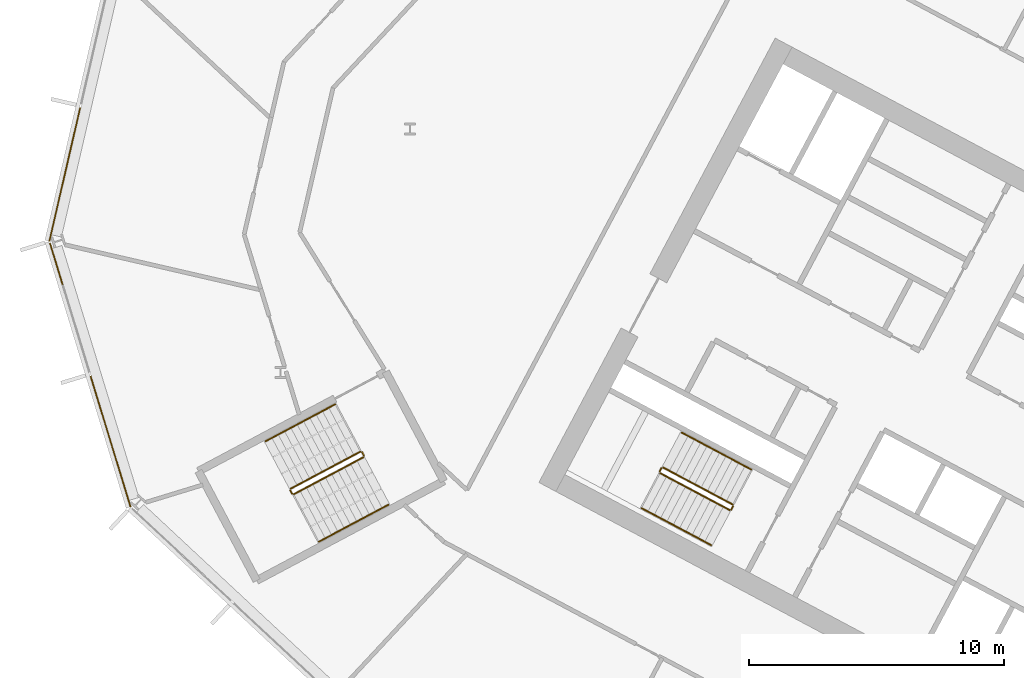
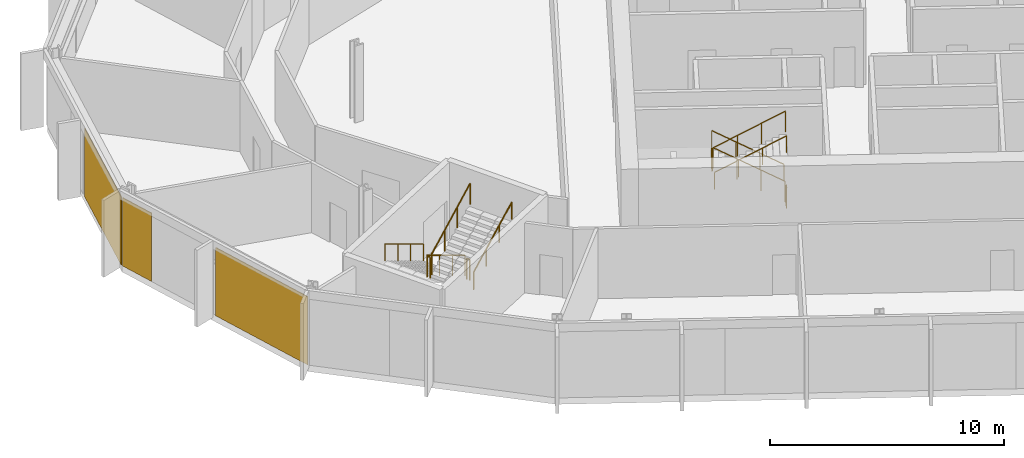
# One storey, part 21 of 28: 12 railings, 3 coverings, 2 elements without a shape of their own.
"""IFC4 building model written with IfcOpenShell, lengths in metres."""

from ifc_helpers import new_model, si_unit, direction, frame, origin, origin_2d, place, context, subcontext, project, spatial, polyline, rectangle, outline, extrude, material, layer, layer_set, type_object, element, aggregate, save


model = new_model("IFC4")

# Units and contexts
model_context = context("Model", 3, precision=1e-05, world=origin(), true_north=direction((0.0, 1.0)))
body_context = subcontext(model_context, "Body", "Model", "MODEL_VIEW")
ifc_project = project(units=[si_unit("LENGTHUNIT", "METRE"), si_unit("AREAUNIT", "SQUARE_METRE"), si_unit("VOLUMEUNIT", "CUBIC_METRE"), si_unit("PLANEANGLEUNIT", "RADIAN"), si_unit("MASSUNIT", "GRAM", prefix="KILO")], contexts=[model_context])

# Site, building, storey
site_placement = place(None, origin())
site = spatial("IfcSite", under=ifc_project, at=site_placement, CompositionType="ELEMENT")
building_placement = place(site_placement, origin())
building = spatial("IfcBuilding", under=site, at=building_placement, Name="Cormorant Relay Tower", CompositionType="ELEMENT")
storey_placement = place(building_placement, frame((0.0, 0.0, 122.199951171875)))
storey = spatial("IfcBuildingStorey", under=building, at=storey_placement, Name="L24", CompositionType="ELEMENT", Elevation=122.199951171875)

# Curtain wall, covering
ifc_material_1 = material(Name="Aluminium 6063-T6 anodised bronze", Category="aluminium")
ifc_layer_1 = layer(ifc_material_1, 0.199951171875)
ifc_layer_set_1 = layer_set([ifc_layer_1], Name="CW1 unitised bronze curtain wall with vertical fins")
curtain_wall_type = type_object("IfcCurtainWallType", Name="CW1 unitised bronze curtain wall with vertical fins", PredefinedType="NOTDEFINED", material=ifc_layer_set_1)
curtain_wall_1_placement = place(storey_placement, origin())
curtain_wall_1 = element("IfcCurtainWall", 1, at=curtain_wall_1_placement, inside=storey, type_object=curtain_wall_type, Name="CW1 curtain wall 13", PredefinedType="NOTDEFINED")
ifc_material_2 = material(Name="Pale bronze anodised aluminium insulated panel", Category="aluminium")
ifc_layer_2 = layer(ifc_material_2, 0.0400390625)
ifc_layer_set_2 = layer_set([ifc_layer_2], Name="CW1 pale bronze insulated panel 40")
covering_type = type_object("IfcCoveringType", Name="CW1 pale bronze insulated panel 40", PredefinedType="CLADDING", material=ifc_layer_set_2)
covering_1_placement = place(storey_placement, frame((-60.136474609375, 23.00927734375, 0.0), z_axis=(0.0, 0.0, 1.0), x_axis=(-0.224951054344, -0.974370064785, 0.0)))
covering_1 = element("IfcCovering", 2, at=covering_1_placement, type_object=covering_type, Name="CW1 panel S02", PredefinedType="CLADDING", context=body_context, shape_type="SweptSolid", body=[
    extrude(rectangle(XDim=5.360107421875, YDim=0.0400390625, at=origin_2d()), origin(), (0.0, 0.0, 1.0), 3.550048828125),
])
aggregate(curtain_wall_1, [covering_1])

# Curtain wall, coverings
curtain_wall_2_placement = place(storey_placement, origin())
curtain_wall_2 = element("IfcCurtainWall", 3, at=curtain_wall_2_placement, inside=storey, type_object=curtain_wall_type, Name="CW1 curtain wall 14", PredefinedType="NOTDEFINED")
covering_2_placement = place(storey_placement, frame((-60.470703125, 19.510009765625, 0.0), z_axis=(0.0, 0.0, 1.0), x_axis=(0.292371704723, -0.956304755963, 0.0)))
covering_2 = element("IfcCovering", 4, at=covering_2_placement, type_object=covering_type, Name="CW1 panel S00", PredefinedType="CLADDING", context=body_context, shape_type="SweptSolid", body=[
    extrude(rectangle(XDim=1.685302734375, YDim=0.0400390625, at=origin_2d()), origin(), (0.0, 0.0, 1.0), 3.550048828125),
])
covering_3_placement = place(storey_placement, frame((-58.344482421875, 12.55517578125, 0.0), z_axis=(0.0, 0.0, 1.0), x_axis=(0.292371704723, -0.956304755963, 0.0)))
covering_3 = element("IfcCovering", 5, at=covering_3_placement, type_object=covering_type, Name="CW1 panel S02", PredefinedType="CLADDING", context=body_context, shape_type="SweptSolid", body=[
    extrude(rectangle(XDim=5.360107421875, YDim=0.0400390625, at=origin_2d()), origin(), (0.0, 0.0, 1.0), 3.550048828125),
])
aggregate(curtain_wall_2, [covering_2, covering_3])

# Railings
ifc_material_3 = material(Name="Steel ASTM A572 Grade 50 (Fy 345 MPa)", Category="steel")
railing_type_1 = type_object("IfcRailingType", Name="Stair guard 1100", PredefinedType="GUARDRAIL", material=ifc_material_3)
railing_1_placement = place(storey_placement, frame((-33.9921875, 10.08935546875, 0.166748046875)))
element("IfcRailing", 6, at=railing_1_placement, inside=storey, type_object=railing_type_1, Name="L24 A2 stair guard 1", PredefinedType="GUARDRAIL", context=body_context, shape_type="SweptSolid", body=[
    extrude(outline(polyline([(0.022216796875, 0.00927734375), (0.00927734375, 0.022216796875), (-0.00927734375, 0.022216796875), (-0.022216796875, 0.00927734375), (-0.022216796875, -0.00927734375), (-0.00927734375, -0.022216796875), (0.00927734375, -0.022216796875), (0.022216796875, -0.00927734375), (0.022216796875, 0.00927734375)])), frame((0.0, 0.0, 1.076171875), z_axis=(-0.758713656843, 0.403434867536, 0.511462505542), x_axis=(-0.469489399267, -0.882938108802, 0.0)), (0.0, 0.0, 1.0), 3.584228515625),
    extrude(outline(polyline([(0.019287109375, 0.008056640625), (0.008056640625, 0.019287109375), (-0.008056640625, 0.019287109375), (-0.019287109375, 0.008056640625), (-0.019287109375, -0.008056640625), (-0.008056640625, -0.019287109375), (0.008056640625, -0.019287109375), (0.019287109375, -0.008056640625), (0.019287109375, 0.008056640625)])), origin(), (0.0, 0.0, 1.0), 1.052001953125),
    extrude(outline(polyline([(0.019287109375, 0.008056640625), (0.008056640625, 0.019287109375), (-0.008056640625, 0.019287109375), (-0.019287109375, 0.008056640625), (-0.019287109375, -0.008056640625), (-0.008056640625, -0.019287109375), (0.008056640625, -0.019287109375), (0.019287109375, -0.008056640625), (0.019287109375, 0.008056640625)])), frame((-0.906494140625, 0.48193359375, 0.611083984375)), (0.0, 0.0, 1.0), 1.052001953125),
    extrude(outline(polyline([(0.019287109375, 0.008056640625), (0.008056640625, 0.019287109375), (-0.008056640625, 0.019287109375), (-0.019287109375, 0.008056640625), (-0.019287109375, -0.008056640625), (-0.008056640625, -0.019287109375), (0.008056640625, -0.019287109375), (0.019287109375, -0.008056640625), (0.019287109375, 0.008056640625)])), frame((-1.81298828125, 0.964111328125, 1.22216796875)), (0.0, 0.0, 1.0), 1.052001953125),
    extrude(outline(polyline([(0.019287109375, 0.008056640625), (0.008056640625, 0.019287109375), (-0.008056640625, 0.019287109375), (-0.019287109375, 0.008056640625), (-0.019287109375, -0.008056640625), (-0.008056640625, -0.019287109375), (0.008056640625, -0.019287109375), (0.019287109375, -0.008056640625), (0.019287109375, 0.008056640625)])), frame((-2.719482421875, 1.446044921875, 1.833251953125)), (0.0, 0.0, 1.0), 1.052001953125),
])
railing_2_placement = place(storey_placement, frame((-36.779296875, 11.5146484375, 2.0)))
element("IfcRailing", 7, at=railing_2_placement, inside=storey, type_object=railing_type_1, Name="L24 A2 stair guard 2", PredefinedType="GUARDRAIL", context=body_context, shape_type="SweptSolid", body=[
    extrude(outline(polyline([(0.022216796875, 0.00927734375), (0.00927734375, 0.022216796875), (-0.00927734375, 0.022216796875), (-0.022216796875, 0.00927734375), (-0.022216796875, -0.00927734375), (-0.00927734375, -0.022216796875), (0.00927734375, -0.022216796875), (0.022216796875, -0.00927734375), (0.022216796875, 0.00927734375)])), frame((0.0, 0.0, 1.076171875), z_axis=(-0.469234640946, -0.883073525669, 0.0), x_axis=(0.883073525669, -0.469234640946, 0.0)), (0.0, 0.0, 1.0), 0.14990234375),
    extrude(outline(polyline([(0.019287109375, 0.008056640625), (0.008056640625, 0.019287109375), (-0.008056640625, 0.019287109375), (-0.019287109375, 0.008056640625), (-0.019287109375, -0.008056640625), (-0.008056640625, -0.019287109375), (0.008056640625, -0.019287109375), (0.019287109375, -0.008056640625), (0.019287109375, 0.008056640625)])), origin(), (0.0, 0.0, 1.0), 1.052001953125),
    extrude(outline(polyline([(0.019287109375, 0.008056640625), (0.008056640625, 0.019287109375), (-0.008056640625, 0.019287109375), (-0.019287109375, 0.008056640625), (-0.019287109375, -0.008056640625), (-0.008056640625, -0.019287109375), (0.008056640625, -0.019287109375), (0.019287109375, -0.008056640625), (0.019287109375, 0.008056640625)])), frame((-0.0703125, -0.13232421875, 0.0)), (0.0, 0.0, 1.0), 1.052001953125),
])
railing_3_placement = place(storey_placement, frame((-36.8291015625, 11.314697265625, 2.166748046875)))
element("IfcRailing", 8, at=railing_3_placement, inside=storey, type_object=railing_type_1, Name="L24 A2 stair guard 3", PredefinedType="GUARDRAIL", context=body_context, shape_type="SweptSolid", body=[
    extrude(outline(polyline([(0.022216796875, 0.00927734375), (0.00927734375, 0.022216796875), (-0.00927734375, 0.022216796875), (-0.022216796875, 0.00927734375), (-0.022216796875, -0.00927734375), (-0.00927734375, -0.022216796875), (0.00927734375, -0.022216796875), (0.022216796875, -0.00927734375), (0.022216796875, 0.00927734375)])), frame((0.0, 0.0, 1.076171875), z_axis=(0.758713656843, -0.403434867536, 0.511462505542), x_axis=(0.469489399267, 0.882938108802, 0.0)), (0.0, 0.0, 1.0), 3.584228515625),
    extrude(outline(polyline([(0.019287109375, 0.008056640625), (0.008056640625, 0.019287109375), (-0.008056640625, 0.019287109375), (-0.019287109375, 0.008056640625), (-0.019287109375, -0.008056640625), (-0.008056640625, -0.019287109375), (0.008056640625, -0.019287109375), (0.019287109375, -0.008056640625), (0.019287109375, 0.008056640625)])), origin(), (0.0, 0.0, 1.0), 1.052001953125),
    extrude(outline(polyline([(0.019287109375, 0.008056640625), (0.008056640625, 0.019287109375), (-0.008056640625, 0.019287109375), (-0.019287109375, 0.008056640625), (-0.019287109375, -0.008056640625), (-0.008056640625, -0.019287109375), (0.008056640625, -0.019287109375), (0.019287109375, -0.008056640625), (0.019287109375, 0.008056640625)])), frame((0.906494140625, -0.48193359375, 0.611083984375)), (0.0, 0.0, 1.0), 1.052001953125),
    extrude(outline(polyline([(0.019287109375, 0.008056640625), (0.008056640625, 0.019287109375), (-0.008056640625, 0.019287109375), (-0.019287109375, 0.008056640625), (-0.019287109375, -0.008056640625), (-0.008056640625, -0.019287109375), (0.008056640625, -0.019287109375), (0.019287109375, -0.008056640625), (0.019287109375, 0.008056640625)])), frame((1.81298828125, -0.964111328125, 1.22216796875)), (0.0, 0.0, 1.0), 1.052001953125),
    extrude(outline(polyline([(0.019287109375, 0.008056640625), (0.008056640625, 0.019287109375), (-0.008056640625, 0.019287109375), (-0.019287109375, 0.008056640625), (-0.019287109375, -0.008056640625), (-0.008056640625, -0.019287109375), (0.008056640625, -0.019287109375), (0.019287109375, -0.008056640625), (0.019287109375, 0.008056640625)])), frame((2.719482421875, -1.446044921875, 1.833251953125)), (0.0, 0.0, 1.0), 1.052001953125),
])
railing_4_placement = place(storey_placement, frame((-33.971435546875, 10.021728515625, 0.0)))
element("IfcRailing", 9, at=railing_4_placement, inside=storey, type_object=railing_type_1, Name="L24 A2 stair guard 4", PredefinedType="GUARDRAIL", context=body_context, shape_type="SweptSolid", body=[
    extrude(outline(polyline([(0.022216796875, 0.00927734375), (0.00927734375, 0.022216796875), (-0.00927734375, 0.022216796875), (-0.022216796875, 0.00927734375), (-0.022216796875, -0.00927734375), (-0.00927734375, -0.022216796875), (0.00927734375, -0.022216796875), (0.022216796875, -0.00927734375), (0.022216796875, 0.00927734375)])), frame((0.0, 0.0, 1.076171875), z_axis=(-0.470503732759, -0.882398003998, 0.0), x_axis=(0.882398003998, -0.470503732759, 0.0)), (0.0, 0.0, 1.0), 0.14990234375),
    extrude(outline(polyline([(0.019287109375, 0.008056640625), (0.008056640625, 0.019287109375), (-0.008056640625, 0.019287109375), (-0.019287109375, 0.008056640625), (-0.019287109375, -0.008056640625), (-0.008056640625, -0.019287109375), (0.008056640625, -0.019287109375), (0.019287109375, -0.008056640625), (0.019287109375, 0.008056640625)])), origin(), (0.0, 0.0, 1.0), 1.052001953125),
    extrude(outline(polyline([(0.019287109375, 0.008056640625), (0.008056640625, 0.019287109375), (-0.008056640625, 0.019287109375), (-0.019287109375, 0.008056640625), (-0.019287109375, -0.008056640625), (-0.008056640625, -0.019287109375), (0.008056640625, -0.019287109375), (0.019287109375, -0.008056640625), (0.019287109375, 0.008056640625)])), frame((-0.070556640625, -0.13232421875, 0.0)), (0.0, 0.0, 1.0), 1.052001953125),
])
railing_5_placement = place(storey_placement, frame((-48.5693359375, 12.155517578125, 0.166748046875)))
element("IfcRailing", 10, at=railing_5_placement, inside=storey, type_object=railing_type_1, Name="L24 RP1 stair guard 1", PredefinedType="GUARDRAIL", context=body_context, shape_type="SweptSolid", body=[
    extrude(outline(polyline([(0.022216796875, 0.00927734375), (0.00927734375, 0.022216796875), (-0.00927734375, 0.022216796875), (-0.022216796875, 0.00927734375), (-0.022216796875, -0.00927734375), (-0.00927734375, -0.022216796875), (0.00927734375, -0.022216796875), (0.022216796875, -0.00927734375), (0.022216796875, 0.00927734375)])), frame((0.0, 0.0, 1.076171875), z_axis=(-0.758713656843, -0.403434867536, 0.511462505542), x_axis=(0.469489399267, -0.882938108802, 0.0)), (0.0, 0.0, 1.0), 3.584228515625),
    extrude(outline(polyline([(0.019287109375, 0.008056640625), (0.008056640625, 0.019287109375), (-0.008056640625, 0.019287109375), (-0.019287109375, 0.008056640625), (-0.019287109375, -0.008056640625), (-0.008056640625, -0.019287109375), (0.008056640625, -0.019287109375), (0.019287109375, -0.008056640625), (0.019287109375, 0.008056640625)])), origin(), (0.0, 0.0, 1.0), 1.052001953125),
    extrude(outline(polyline([(0.019287109375, 0.008056640625), (0.008056640625, 0.019287109375), (-0.008056640625, 0.019287109375), (-0.019287109375, 0.008056640625), (-0.019287109375, -0.008056640625), (-0.008056640625, -0.019287109375), (0.008056640625, -0.019287109375), (0.019287109375, -0.008056640625), (0.019287109375, 0.008056640625)])), frame((-0.906494140625, -0.48193359375, 0.611083984375)), (0.0, 0.0, 1.0), 1.052001953125),
    extrude(outline(polyline([(0.019287109375, 0.008056640625), (0.008056640625, 0.019287109375), (-0.008056640625, 0.019287109375), (-0.019287109375, 0.008056640625), (-0.019287109375, -0.008056640625), (-0.008056640625, -0.019287109375), (0.008056640625, -0.019287109375), (0.019287109375, -0.008056640625), (0.019287109375, 0.008056640625)])), frame((-1.81298828125, -0.964111328125, 1.22216796875)), (0.0, 0.0, 1.0), 1.052001953125),
    extrude(outline(polyline([(0.019287109375, 0.008056640625), (0.008056640625, 0.019287109375), (-0.008056640625, 0.019287109375), (-0.019287109375, 0.008056640625), (-0.019287109375, -0.008056640625), (-0.008056640625, -0.019287109375), (0.008056640625, -0.019287109375), (0.019287109375, -0.008056640625), (0.019287109375, 0.008056640625)])), frame((-2.719482421875, -1.446044921875, 1.833251953125)), (0.0, 0.0, 1.0), 1.052001953125),
])
railing_6_placement = place(storey_placement, frame((-51.3095703125, 10.641845703125, 2.0)))
element("IfcRailing", 11, at=railing_6_placement, inside=storey, type_object=railing_type_1, Name="L24 RP1 stair guard 2", PredefinedType="GUARDRAIL", context=body_context, shape_type="SweptSolid", body=[
    extrude(outline(polyline([(0.022216796875, 0.00927734375), (0.00927734375, 0.022216796875), (-0.00927734375, 0.022216796875), (-0.022216796875, 0.00927734375), (-0.022216796875, -0.00927734375), (-0.00927734375, -0.022216796875), (0.00927734375, -0.022216796875), (0.022216796875, -0.00927734375), (0.022216796875, 0.00927734375)])), frame((0.0, 0.0, 1.076171875), z_axis=(0.469828648786, -0.882757634224, 0.0), x_axis=(0.882757634224, 0.469828648786, 0.0)), (0.0, 0.0, 1.0), 0.150146484375),
    extrude(outline(polyline([(0.019287109375, 0.008056640625), (0.008056640625, 0.019287109375), (-0.008056640625, 0.019287109375), (-0.019287109375, 0.008056640625), (-0.019287109375, -0.008056640625), (-0.008056640625, -0.019287109375), (0.008056640625, -0.019287109375), (0.019287109375, -0.008056640625), (0.019287109375, 0.008056640625)])), origin(), (0.0, 0.0, 1.0), 1.052001953125),
    extrude(outline(polyline([(0.019287109375, 0.008056640625), (0.008056640625, 0.019287109375), (-0.008056640625, 0.019287109375), (-0.019287109375, 0.008056640625), (-0.019287109375, -0.008056640625), (-0.008056640625, -0.019287109375), (0.008056640625, -0.019287109375), (0.019287109375, -0.008056640625), (0.019287109375, 0.008056640625)])), frame((0.070556640625, -0.132568359375, 0.0)), (0.0, 0.0, 1.0), 1.052001953125),
])
railing_7_placement = place(storey_placement, frame((-51.17138671875, 10.48876953125, 2.166748046875)))
element("IfcRailing", 12, at=railing_7_placement, inside=storey, type_object=railing_type_1, Name="L24 RP1 stair guard 3", PredefinedType="GUARDRAIL", context=body_context, shape_type="SweptSolid", body=[
    extrude(outline(polyline([(0.022216796875, 0.00927734375), (0.00927734375, 0.022216796875), (-0.00927734375, 0.022216796875), (-0.022216796875, 0.00927734375), (-0.022216796875, -0.00927734375), (-0.00927734375, -0.022216796875), (0.00927734375, -0.022216796875), (0.022216796875, -0.00927734375), (0.022216796875, 0.00927734375)])), frame((0.0, 0.0, 1.076171875), z_axis=(0.758734504837, 0.403377838015, 0.511476559549), x_axis=(-0.469427602063, 0.882970965786, 0.0)), (0.0, 0.0, 1.0), 3.584228515625),
    extrude(outline(polyline([(0.019287109375, 0.008056640625), (0.008056640625, 0.019287109375), (-0.008056640625, 0.019287109375), (-0.019287109375, 0.008056640625), (-0.019287109375, -0.008056640625), (-0.008056640625, -0.019287109375), (0.008056640625, -0.019287109375), (0.019287109375, -0.008056640625), (0.019287109375, 0.008056640625)])), origin(), (0.0, 0.0, 1.0), 1.052001953125),
    extrude(outline(polyline([(0.019287109375, 0.008056640625), (0.008056640625, 0.019287109375), (-0.008056640625, 0.019287109375), (-0.019287109375, 0.008056640625), (-0.019287109375, -0.008056640625), (-0.008056640625, -0.019287109375), (0.008056640625, -0.019287109375), (0.019287109375, -0.008056640625), (0.019287109375, 0.008056640625)])), frame((0.906494140625, 0.48193359375, 0.611083984375)), (0.0, 0.0, 1.0), 1.052001953125),
    extrude(outline(polyline([(0.019287109375, 0.008056640625), (0.008056640625, 0.019287109375), (-0.008056640625, 0.019287109375), (-0.019287109375, 0.008056640625), (-0.019287109375, -0.008056640625), (-0.008056640625, -0.019287109375), (0.008056640625, -0.019287109375), (0.019287109375, -0.008056640625), (0.019287109375, 0.008056640625)])), frame((1.81298828125, 0.9638671875, 1.22216796875)), (0.0, 0.0, 1.0), 1.052001953125),
    extrude(outline(polyline([(0.019287109375, 0.008056640625), (0.008056640625, 0.019287109375), (-0.008056640625, 0.019287109375), (-0.019287109375, 0.008056640625), (-0.019287109375, -0.008056640625), (-0.008056640625, -0.019287109375), (0.008056640625, -0.019287109375), (0.019287109375, -0.008056640625), (0.019287109375, 0.008056640625)])), frame((2.719482421875, 1.44580078125, 1.833251953125)), (0.0, 0.0, 1.0), 1.052001953125),
])
railing_8_placement = place(storey_placement, frame((-48.501708984375, 12.134765625, 0.0)))
element("IfcRailing", 13, at=railing_8_placement, inside=storey, type_object=railing_type_1, Name="L24 RP1 stair guard 4", PredefinedType="GUARDRAIL", context=body_context, shape_type="SweptSolid", body=[
    extrude(outline(polyline([(0.022216796875, 0.00927734375), (0.00927734375, 0.022216796875), (-0.00927734375, 0.022216796875), (-0.022216796875, 0.00927734375), (-0.022216796875, -0.00927734375), (-0.00927734375, -0.022216796875), (0.00927734375, -0.022216796875), (0.022216796875, -0.00927734375), (0.022216796875, 0.00927734375)])), frame((0.0, 0.0, 1.076171875), z_axis=(0.46856034887, -0.8834314911, 0.0), x_axis=(0.8834314911, 0.46856034887, 0.0)), (0.0, 0.0, 1.0), 0.150146484375),
    extrude(outline(polyline([(0.019287109375, 0.008056640625), (0.008056640625, 0.019287109375), (-0.008056640625, 0.019287109375), (-0.019287109375, 0.008056640625), (-0.019287109375, -0.008056640625), (-0.008056640625, -0.019287109375), (0.008056640625, -0.019287109375), (0.019287109375, -0.008056640625), (0.019287109375, 0.008056640625)])), origin(), (0.0, 0.0, 1.0), 1.052001953125),
    extrude(outline(polyline([(0.019287109375, 0.008056640625), (0.008056640625, 0.019287109375), (-0.008056640625, 0.019287109375), (-0.019287109375, 0.008056640625), (-0.019287109375, -0.008056640625), (-0.008056640625, -0.019287109375), (0.008056640625, -0.019287109375), (0.019287109375, -0.008056640625), (0.019287109375, 0.008056640625)])), frame((0.0703125, -0.132568359375, 0.0)), (0.0, 0.0, 1.0), 1.052001953125),
])
ifc_material_4 = material(Name="Steel ASTM A572 Grade 50 (Fy 345 MPa)", Category="steel")
railing_type_2 = type_object("IfcRailingType", Name="Stair handrail 900", PredefinedType="HANDRAIL", material=ifc_material_4)
railing_9_placement = place(storey_placement, frame((-33.264404296875, 11.4580078125, 0.166748046875)))
element("IfcRailing", 14, at=railing_9_placement, inside=storey, type_object=railing_type_2, Name="L24 A2 stair handrail 1", PredefinedType="HANDRAIL", context=body_context, shape_type="SweptSolid", body=[
    extrude(outline(polyline([(0.022216796875, 0.00927734375), (0.00927734375, 0.022216796875), (-0.00927734375, 0.022216796875), (-0.022216796875, 0.00927734375), (-0.022216796875, -0.00927734375), (-0.00927734375, -0.022216796875), (0.00927734375, -0.022216796875), (0.022216796875, -0.00927734375), (0.022216796875, 0.00927734375)])), frame((0.0, 0.0, 0.8759765625), z_axis=(-0.758734504837, 0.403377838015, 0.511476559549), x_axis=(-0.469427602063, -0.882970965786, 0.0)), (0.0, 0.0, 1.0), 3.584228515625),
    extrude(outline(polyline([(0.019287109375, 0.008056640625), (0.008056640625, 0.019287109375), (-0.008056640625, 0.019287109375), (-0.019287109375, 0.008056640625), (-0.019287109375, -0.008056640625), (-0.008056640625, -0.019287109375), (0.008056640625, -0.019287109375), (0.019287109375, -0.008056640625), (0.019287109375, 0.008056640625)])), origin(), (0.0, 0.0, 1.0), 0.851806640625),
    extrude(outline(polyline([(0.019287109375, 0.008056640625), (0.008056640625, 0.019287109375), (-0.008056640625, 0.019287109375), (-0.019287109375, 0.008056640625), (-0.019287109375, -0.008056640625), (-0.008056640625, -0.019287109375), (0.008056640625, -0.019287109375), (0.019287109375, -0.008056640625), (0.019287109375, 0.008056640625)])), frame((-0.906494140625, 0.48193359375, 0.611083984375)), (0.0, 0.0, 1.0), 0.851806640625),
    extrude(outline(polyline([(0.019287109375, 0.008056640625), (0.008056640625, 0.019287109375), (-0.008056640625, 0.019287109375), (-0.019287109375, 0.008056640625), (-0.019287109375, -0.008056640625), (-0.008056640625, -0.019287109375), (0.008056640625, -0.019287109375), (0.019287109375, -0.008056640625), (0.019287109375, 0.008056640625)])), frame((-1.81298828125, 0.9638671875, 1.22216796875)), (0.0, 0.0, 1.0), 0.851806640625),
    extrude(outline(polyline([(0.019287109375, 0.008056640625), (0.008056640625, 0.019287109375), (-0.008056640625, 0.019287109375), (-0.019287109375, 0.008056640625), (-0.019287109375, -0.008056640625), (-0.008056640625, -0.019287109375), (0.008056640625, -0.019287109375), (0.019287109375, -0.008056640625), (0.019287109375, 0.008056640625)])), frame((-2.719482421875, 1.44580078125, 1.833251953125)), (0.0, 0.0, 1.0), 0.851806640625),
])
railing_10_placement = place(storey_placement, frame((-37.556640625, 9.946044921875, 2.166748046875)))
element("IfcRailing", 15, at=railing_10_placement, inside=storey, type_object=railing_type_2, Name="L24 A2 stair handrail 2", PredefinedType="HANDRAIL", context=body_context, shape_type="SweptSolid", body=[
    extrude(outline(polyline([(0.022216796875, 0.00927734375), (0.00927734375, 0.022216796875), (-0.00927734375, 0.022216796875), (-0.022216796875, 0.00927734375), (-0.022216796875, -0.00927734375), (-0.00927734375, -0.022216796875), (0.00927734375, -0.022216796875), (0.022216796875, -0.00927734375), (0.022216796875, 0.00927734375)])), frame((0.0, 0.0, 0.8759765625), z_axis=(0.758713656843, -0.403434867536, 0.511462505542), x_axis=(0.469489399267, 0.882938108802, 0.0)), (0.0, 0.0, 1.0), 3.584228515625),
    extrude(outline(polyline([(0.019287109375, 0.008056640625), (0.008056640625, 0.019287109375), (-0.008056640625, 0.019287109375), (-0.019287109375, 0.008056640625), (-0.019287109375, -0.008056640625), (-0.008056640625, -0.019287109375), (0.008056640625, -0.019287109375), (0.019287109375, -0.008056640625), (0.019287109375, 0.008056640625)])), origin(), (0.0, 0.0, 1.0), 0.851806640625),
    extrude(outline(polyline([(0.019287109375, 0.008056640625), (0.008056640625, 0.019287109375), (-0.008056640625, 0.019287109375), (-0.019287109375, 0.008056640625), (-0.019287109375, -0.008056640625), (-0.008056640625, -0.019287109375), (0.008056640625, -0.019287109375), (0.019287109375, -0.008056640625), (0.019287109375, 0.008056640625)])), frame((0.906494140625, -0.48193359375, 0.611083984375)), (0.0, 0.0, 1.0), 0.851806640625),
    extrude(outline(polyline([(0.019287109375, 0.008056640625), (0.008056640625, 0.019287109375), (-0.008056640625, 0.019287109375), (-0.019287109375, 0.008056640625), (-0.019287109375, -0.008056640625), (-0.008056640625, -0.019287109375), (0.008056640625, -0.019287109375), (0.019287109375, -0.008056640625), (0.019287109375, 0.008056640625)])), frame((1.81298828125, -0.964111328125, 1.22216796875)), (0.0, 0.0, 1.0), 0.851806640625),
    extrude(outline(polyline([(0.019287109375, 0.008056640625), (0.008056640625, 0.019287109375), (-0.008056640625, 0.019287109375), (-0.019287109375, 0.008056640625), (-0.019287109375, -0.008056640625), (-0.008056640625, -0.019287109375), (0.008056640625, -0.019287109375), (0.019287109375, -0.008056640625), (0.019287109375, 0.008056640625)])), frame((2.719482421875, -1.446044921875, 1.833251953125)), (0.0, 0.0, 1.0), 0.851806640625),
])
railing_11_placement = place(storey_placement, frame((-49.55517578125, 14.009521484375, 0.166748046875)))
element("IfcRailing", 16, at=railing_11_placement, inside=storey, type_object=railing_type_2, Name="L24 RP1 stair handrail 1", PredefinedType="HANDRAIL", context=body_context, shape_type="SweptSolid", body=[
    extrude(outline(polyline([(0.022216796875, 0.00927734375), (0.00927734375, 0.022216796875), (-0.00927734375, 0.022216796875), (-0.022216796875, 0.00927734375), (-0.022216796875, -0.00927734375), (-0.00927734375, -0.022216796875), (0.00927734375, -0.022216796875), (0.022216796875, -0.00927734375), (0.022216796875, 0.00927734375)])), frame((0.0, 0.0, 0.8759765625), z_axis=(-0.758734504837, -0.403377838015, 0.511476559549), x_axis=(0.469427602063, -0.882970965786, 0.0)), (0.0, 0.0, 1.0), 3.584228515625),
    extrude(outline(polyline([(0.019287109375, 0.008056640625), (0.008056640625, 0.019287109375), (-0.008056640625, 0.019287109375), (-0.019287109375, 0.008056640625), (-0.019287109375, -0.008056640625), (-0.008056640625, -0.019287109375), (0.008056640625, -0.019287109375), (0.019287109375, -0.008056640625), (0.019287109375, 0.008056640625)])), origin(), (0.0, 0.0, 1.0), 0.851806640625),
    extrude(outline(polyline([(0.019287109375, 0.008056640625), (0.008056640625, 0.019287109375), (-0.008056640625, 0.019287109375), (-0.019287109375, 0.008056640625), (-0.019287109375, -0.008056640625), (-0.008056640625, -0.019287109375), (0.008056640625, -0.019287109375), (0.019287109375, -0.008056640625), (0.019287109375, 0.008056640625)])), frame((-0.906494140625, -0.48193359375, 0.611083984375)), (0.0, 0.0, 1.0), 0.851806640625),
    extrude(outline(polyline([(0.019287109375, 0.008056640625), (0.008056640625, 0.019287109375), (-0.008056640625, 0.019287109375), (-0.019287109375, 0.008056640625), (-0.019287109375, -0.008056640625), (-0.008056640625, -0.019287109375), (0.008056640625, -0.019287109375), (0.019287109375, -0.008056640625), (0.019287109375, 0.008056640625)])), frame((-1.81298828125, -0.9638671875, 1.22216796875)), (0.0, 0.0, 1.0), 0.851806640625),
    extrude(outline(polyline([(0.019287109375, 0.008056640625), (0.008056640625, 0.019287109375), (-0.008056640625, 0.019287109375), (-0.019287109375, 0.008056640625), (-0.019287109375, -0.008056640625), (-0.008056640625, -0.019287109375), (0.008056640625, -0.019287109375), (0.019287109375, -0.008056640625), (0.019287109375, 0.008056640625)])), frame((-2.719482421875, -1.44580078125, 1.833251953125)), (0.0, 0.0, 1.0), 0.851806640625),
])
railing_12_placement = place(storey_placement, frame((-50.185546875, 8.634521484375, 2.166748046875)))
element("IfcRailing", 17, at=railing_12_placement, inside=storey, type_object=railing_type_2, Name="L24 RP1 stair handrail 2", PredefinedType="HANDRAIL", context=body_context, shape_type="SweptSolid", body=[
    extrude(outline(polyline([(0.022216796875, 0.00927734375), (0.00927734375, 0.022216796875), (-0.00927734375, 0.022216796875), (-0.022216796875, 0.00927734375), (-0.022216796875, -0.00927734375), (-0.00927734375, -0.022216796875), (0.00927734375, -0.022216796875), (0.022216796875, -0.00927734375), (0.022216796875, 0.00927734375)])), frame((0.0, 0.0, 0.8759765625), z_axis=(0.758713656843, 0.403434867536, 0.511462505542), x_axis=(-0.469489399267, 0.882938108802, 0.0)), (0.0, 0.0, 1.0), 3.584228515625),
    extrude(outline(polyline([(0.019287109375, 0.008056640625), (0.008056640625, 0.019287109375), (-0.008056640625, 0.019287109375), (-0.019287109375, 0.008056640625), (-0.019287109375, -0.008056640625), (-0.008056640625, -0.019287109375), (0.008056640625, -0.019287109375), (0.019287109375, -0.008056640625), (0.019287109375, 0.008056640625)])), origin(), (0.0, 0.0, 1.0), 0.851806640625),
    extrude(outline(polyline([(0.019287109375, 0.008056640625), (0.008056640625, 0.019287109375), (-0.008056640625, 0.019287109375), (-0.019287109375, 0.008056640625), (-0.019287109375, -0.008056640625), (-0.008056640625, -0.019287109375), (0.008056640625, -0.019287109375), (0.019287109375, -0.008056640625), (0.019287109375, 0.008056640625)])), frame((0.906494140625, 0.48193359375, 0.611083984375)), (0.0, 0.0, 1.0), 0.851806640625),
    extrude(outline(polyline([(0.019287109375, 0.008056640625), (0.008056640625, 0.019287109375), (-0.008056640625, 0.019287109375), (-0.019287109375, 0.008056640625), (-0.019287109375, -0.008056640625), (-0.008056640625, -0.019287109375), (0.008056640625, -0.019287109375), (0.019287109375, -0.008056640625), (0.019287109375, 0.008056640625)])), frame((1.81298828125, 0.964111328125, 1.22216796875)), (0.0, 0.0, 1.0), 0.851806640625),
    extrude(outline(polyline([(0.019287109375, 0.008056640625), (0.008056640625, 0.019287109375), (-0.008056640625, 0.019287109375), (-0.019287109375, 0.008056640625), (-0.019287109375, -0.008056640625), (-0.008056640625, -0.019287109375), (0.008056640625, -0.019287109375), (0.019287109375, -0.008056640625), (0.019287109375, 0.008056640625)])), frame((2.719482421875, 1.446044921875, 1.833251953125)), (0.0, 0.0, 1.0), 0.851806640625),
])

save(model, "model.ifc")
